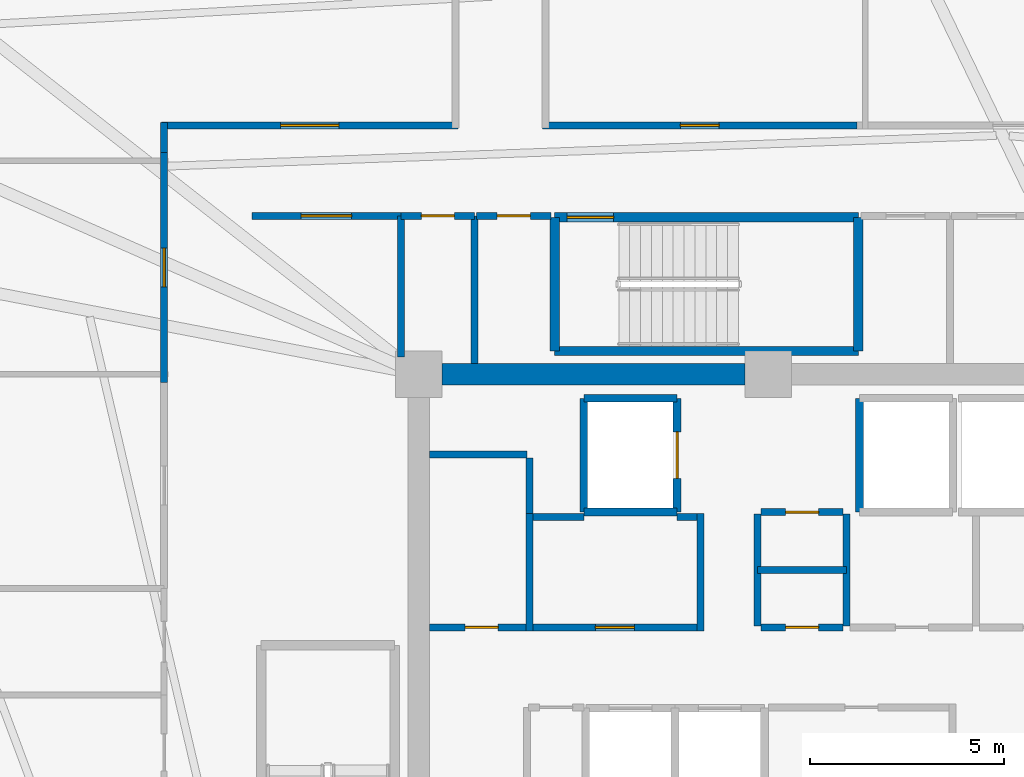
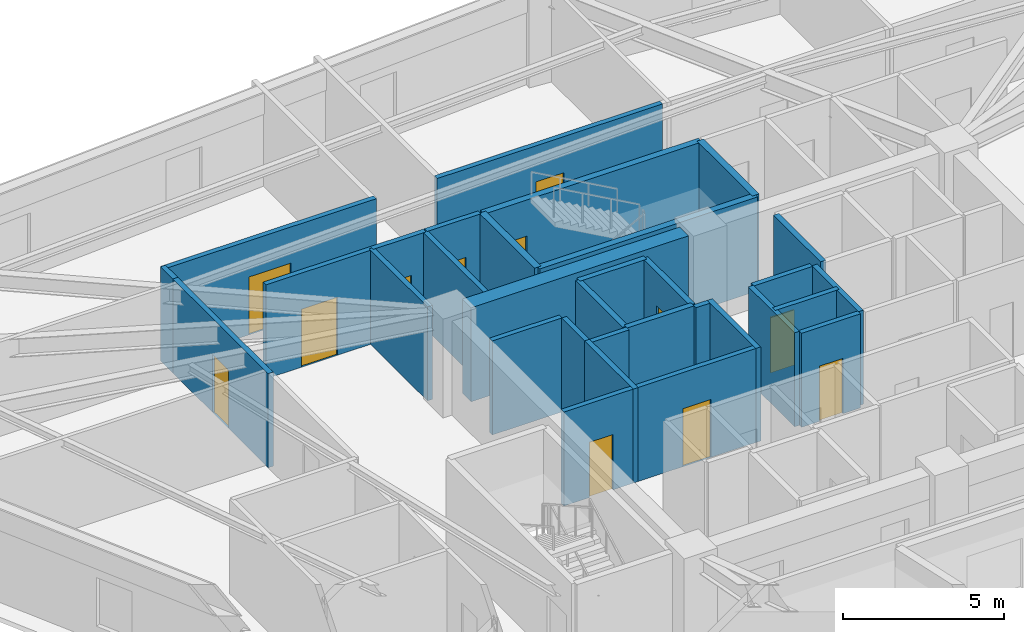
# One storey, part 5 of 9: 32 walls, 12 doors, 12 openings.
"""IFC4 building model written with IfcOpenShell, lengths in metres."""

import ifcopenshell
import ifcopenshell.guid

model = None  # the IFC model being written
_history = None  # IfcOwnerHistory: only IFC2X3 demands one
_inside = {}  # id of a spatial element -> (the spatial element, [elements in it])
_under = {}  # id of a project, library or spatial element -> (it, [spatial elements below it])
_declared = {}  # id of a project -> (the project, [libraries it declares])
_typed = {}  # id of a type object -> (the type object, [elements of that type])
_made_of = {}  # id of a material, layer set ... -> (it, [elements and type objects made of it])


def new_model(schema):
    """Start an empty IFC model of exactly this schema.

    Asked for "IFC4X3", IfcOpenShell would pick the latest addendum, in which some entities
    have other attributes; the version numbers below select the first issue.
    IFC2X3 requires an IfcOwnerHistory on every rooted entity: one is made here for all.
    """
    global model, _history
    if schema == "IFC4X3":
        model = ifcopenshell.file(schema_version=(4, 3, 0, 0))
    else:
        model = ifcopenshell.file(schema=schema)
    _inside.clear()
    _under.clear()
    _declared.clear()
    _typed.clear()
    _made_of.clear()
    _history = None
    if model.schema == "IFC2X3":
        org = make("IfcOrganization", Name="unknown")
        user = make(
            "IfcPersonAndOrganization",
            ThePerson=make("IfcPerson", FamilyName="unknown"),
            TheOrganization=org,
        )
        app = make(
            "IfcApplication",
            ApplicationDeveloper=org,
            Version="unknown",
            ApplicationFullName="unknown",
            ApplicationIdentifier="unknown",
        )
        _history = make(
            "IfcOwnerHistory",
            OwningUser=user,
            OwningApplication=app,
            ChangeAction="ADDED",
            CreationDate=0,
        )
    return model


def make(cls, **values):
    """One entity of the class cls with the attributes given. An attribute that is None is left unset."""
    return model.create_entity(
        cls, **{name: value for name, value in values.items() if value is not None}
    )


def rooted(cls, **values):
    """An entity with a GlobalId (a new one), such as an element, a storey or a relation."""
    return make(cls, GlobalId=ifcopenshell.guid.new(), OwnerHistory=_history, **values)


def si_unit(unit_type, name, prefix=None):
    """IfcSIUnit, for example si_unit("LENGTHUNIT", "METRE", prefix="MILLI")."""
    return make("IfcSIUnit", UnitType=unit_type, Prefix=prefix, Name=name)


def assignment(units):
    """IfcUnitAssignment: the units of a project."""
    return None if units is None else make("IfcUnitAssignment", Units=units)


def point(xyz):
    """IfcCartesianPoint."""
    return None if xyz is None else make("IfcCartesianPoint", Coordinates=xyz)


def direction(xyz):
    """IfcDirection."""
    return None if xyz is None else make("IfcDirection", DirectionRatios=xyz)


def frame(location, z_axis=None, x_axis=None):
    """IfcAxis2Placement3D, a coordinate frame: its origin and axes. An axis left out is left unset."""
    return make(
        "IfcAxis2Placement3D",
        Location=point(location),
        Axis=direction(z_axis),
        RefDirection=direction(x_axis),
    )


def frame_2d(location, x_axis=None):
    """IfcAxis2Placement2D, a coordinate frame in the plane: its origin and x axis."""
    return make(
        "IfcAxis2Placement2D", Location=point(location), RefDirection=direction(x_axis)
    )


def origin():
    """The frame at (0, 0, 0) with its axes left unset."""
    return frame((0.0, 0.0, 0.0))


def place(relative_to, where):
    """IfcLocalPlacement: puts the frame where relative to a parent placement (None: the world)."""
    return make(
        "IfcLocalPlacement", PlacementRelTo=relative_to, RelativePlacement=where
    )


def context(
    kind, dimensions, precision=None, world=None, true_north=None, identifier=None
):
    """IfcGeometricRepresentationContext, for example the 3D "Model" context."""
    return make(
        "IfcGeometricRepresentationContext",
        ContextIdentifier=identifier,
        ContextType=kind,
        CoordinateSpaceDimension=dimensions,
        Precision=precision,
        WorldCoordinateSystem=world,
        TrueNorth=true_north,
    )


def subcontext(parent, identifier, kind, view, scale=None):
    """IfcGeometricRepresentationSubContext, for example "Body" below "Model"."""
    return make(
        "IfcGeometricRepresentationSubContext",
        ContextIdentifier=identifier,
        ContextType=kind,
        ParentContext=parent,
        TargetScale=scale,
        TargetView=view,
    )


def project(units=None, contexts=None):
    """IfcProject with its units and contexts."""
    return rooted(
        "IfcProject",
        Name="project",
        RepresentationContexts=contexts,
        UnitsInContext=assignment(units),
    )


def spatial(cls, under=None, at=None, **own):
    """A site, building, storey or space (cls), placed at a placement, below another one or the project."""
    s = rooted(cls, ObjectPlacement=at, **own)
    if under is not None:
        _under.setdefault(under.id(), (under, []))[1].append(s)
    return s


def profile(cls, at=None, kind="AREA", **sizes):
    """A parametric profile (cls). Its sizes go by their IFC names, for example OverallWidth=200.0."""
    return make(cls, ProfileType=kind, Position=at, **sizes)


def rectangle(**sizes):
    """IfcRectangleProfileDef."""
    return profile("IfcRectangleProfileDef", **sizes)


def extrude(swept, where, along, depth):
    """IfcExtrudedAreaSolid: the profile swept, set in the frame where, extruded along a direction by depth."""
    return make(
        "IfcExtrudedAreaSolid",
        SweptArea=swept,
        Position=where,
        ExtrudedDirection=direction(along),
        Depth=depth,
    )


def shape(context_of_items, identifier, shape_type, items):
    """IfcShapeRepresentation: the items that make up one representation, for example the "Body"."""
    return make(
        "IfcShapeRepresentation",
        ContextOfItems=context_of_items,
        RepresentationIdentifier=identifier,
        RepresentationType=shape_type,
        Items=items,
    )


def source(mapping_origin, context_of_items, identifier, shape_type, items):
    """IfcRepresentationMap: a shape defined once, which mapped items show again and again."""
    return make(
        "IfcRepresentationMap",
        MappingOrigin=mapping_origin,
        MappedRepresentation=shape(context_of_items, identifier, shape_type, items),
    )


def transform(
    local_origin,
    x_axis=None,
    y_axis=None,
    z_axis=None,
    scale=None,
    scale2=None,
    scale3=None,
    uniform=True,
):
    """IfcCartesianTransformationOperator3D, or its non-uniform kind. x_axis, y_axis, z_axis: its Axis1, 2, 3."""
    if uniform:
        return make(
            "IfcCartesianTransformationOperator3D",
            Axis1=direction(x_axis),
            Axis2=direction(y_axis),
            LocalOrigin=point(local_origin),
            Scale=scale,
            Axis3=direction(z_axis),
        )
    return make(
        "IfcCartesianTransformationOperator3DnonUniform",
        Axis1=direction(x_axis),
        Axis2=direction(y_axis),
        LocalOrigin=point(local_origin),
        Scale=scale,
        Axis3=direction(z_axis),
        Scale2=scale2,
        Scale3=scale3,
    )


def mapped(mapping_source, mapping_target):
    """IfcMappedItem: shows the shape of a source again, moved by a transform."""
    return make(
        "IfcMappedItem", MappingSource=mapping_source, MappingTarget=mapping_target
    )


def material(Name=None, Category=None):
    """IfcMaterial."""
    return make("IfcMaterial", Name=Name, Category=Category)


def layer(
    of_material, thickness, ventilated=None, Name=None, Category=None, Priority=None
):
    """IfcMaterialLayer: one layer of a wall or slab, of a material (None: an air gap)."""
    return make(
        "IfcMaterialLayer",
        Material=of_material,
        LayerThickness=thickness,
        IsVentilated=ventilated,
        Name=Name,
        Category=Category,
        Priority=Priority,
    )


def layer_set(layers, Name=None):
    """IfcMaterialLayerSet."""
    return make("IfcMaterialLayerSet", MaterialLayers=layers, LayerSetName=Name)


def made_of(thing, what):
    """Note that an element or type object is made of a material, layer set ...; save() writes the relation."""
    if what is not None:
        _made_of.setdefault(what.id(), (what, []))[1].append(thing)
    return thing


def type_object(cls, material=None, **own):
    """A type object (cls), such as IfcWallType, which elements share."""
    return made_of(rooted(cls, **own), material)


def element(
    cls,
    number,
    at=None,
    inside=None,
    cuts=None,
    type_object=None,
    material=None,
    context=None,
    identifier="Body",
    shape_type=None,
    held_by="IfcProductDefinitionShape",
    body=None,
    shapes=None,
    **own,
):
    """One element of the class cls, such as IfcWall. Its Tag is "e" and its number.

    at: its placement. inside: the storey or other place that contains it. cuts: it is an
    opening in that element (IfcRelVoidsElement). A single representation is given by context,
    identifier, shape_type and body (its items); several are given by shapes. held_by: the class
    of the entity that holds the representations. save() writes the other relations.
    """
    e = rooted(cls, Tag="e%d" % number, ObjectPlacement=at, **own)
    if body is not None:
        shapes = [shape(context, identifier, shape_type, body)]
    if shapes is not None:
        e.Representation = make(held_by, Representations=shapes)
    if inside is not None:
        _inside.setdefault(inside.id(), (inside, []))[1].append(e)
    if cuts is not None:
        rooted(
            "IfcRelVoidsElement", RelatingBuildingElement=cuts, RelatedOpeningElement=e
        )
    if type_object is not None:
        _typed.setdefault(type_object.id(), (type_object, []))[1].append(e)
    return made_of(e, material)


def fill(opening, filler):
    """IfcRelFillsElement: the door or window that sits in an opening."""
    return rooted(
        "IfcRelFillsElement",
        RelatingOpeningElement=opening,
        RelatedBuildingElement=filler,
    )


def aggregate(whole, parts):
    """IfcRelAggregates: a whole, such as a stair, and the parts it consists of."""
    return rooted("IfcRelAggregates", RelatingObject=whole, RelatedObjects=parts)


def save(model, path):
    """Write the relations noted so far, then the file.

    IfcRelAggregates (storeys below a building ...), IfcRelContainedInSpatialStructure (elements
    in a storey), IfcRelDefinesByType, IfcRelAssociatesMaterial and IfcRelDeclares: one each for
    every whole, place, type object, material and project.
    """
    for whole, parts in _under.values():
        aggregate(whole, parts)
    for where, things in _inside.values():
        rooted(
            "IfcRelContainedInSpatialStructure",
            RelatedElements=things,
            RelatingStructure=where,
        )
    for kind, things in _typed.values():
        rooted("IfcRelDefinesByType", RelatedObjects=things, RelatingType=kind)
    for what, things in _made_of.values():
        rooted("IfcRelAssociatesMaterial", RelatedObjects=things, RelatingMaterial=what)
    for by, libraries in _declared.values():
        rooted("IfcRelDeclares", RelatingContext=by, RelatedDefinitions=libraries)
    model.write(path)


model = new_model("IFC4")

# Units and contexts
model_context = context("Model", 3, precision=1e-05, world=origin(), true_north=direction((0.0, 1.0)))
body_context = subcontext(model_context, "Body", "Model", "MODEL_VIEW")
ifc_project = project(units=[si_unit("LENGTHUNIT", "METRE"), si_unit("AREAUNIT", "SQUARE_METRE"), si_unit("VOLUMEUNIT", "CUBIC_METRE"), si_unit("PLANEANGLEUNIT", "RADIAN"), si_unit("MASSUNIT", "GRAM", prefix="KILO")], contexts=[model_context])

# Site, building, storey
site_placement = place(None, origin())
site = spatial("IfcSite", under=ifc_project, at=site_placement, CompositionType="ELEMENT")
building_placement = place(site_placement, origin())
building = spatial("IfcBuilding", under=site, at=building_placement, Name="Liaohun Quay Tower", CompositionType="ELEMENT")
storey_placement = place(building_placement, frame((0.0, 0.0, 328.5)))
storey = spatial("IfcBuildingStorey", under=building, at=storey_placement, Name="L85", CompositionType="ELEMENT", Elevation=328.5)

# Wall
ifc_material_1 = material(Name="Concrete C50", Category="concrete")
ifc_layer_1 = layer(ifc_material_1, 0.550048828125, Name="Concrete C50", Category="concrete")
ifc_layer_set_1 = layer_set([ifc_layer_1], Name="Concrete C50")
wall_type_1 = type_object("IfcWallType", Name="WAL-COR-Z4", PredefinedType="SHEAR", material=ifc_layer_set_1)
wall_1_placement = place(storey_placement, frame((51.60009765625, 61.5, 0.0), z_axis=(0.0, 0.0, 1.0), x_axis=(1.0, 0.0, 0.0)))
element("IfcWall", 1, at=wall_1_placement, inside=storey, type_object=wall_type_1, Name="L85 Central Core Shear Wall N-W", PredefinedType="SHEAR", context=body_context, shape_type="SweptSolid", body=[
    extrude(rectangle(XDim=7.7998046875, YDim=0.550048828125, at=frame_2d((3.89990234375, 0.0))), origin(), (0.0, 0.0, 1.0), 3.570068359375),
])

# Wall, opening, door
ifc_material_2 = material(Name="Autoclaved aerated concrete blockwork", Category="masonry")
ifc_layer_2 = layer(ifc_material_2, 0.179931640625, Name="Autoclaved aerated concrete blockwork", Category="masonry")
ifc_layer_set_2 = layer_set([ifc_layer_2], Name="Autoclaved aerated concrete blockwork")
wall_type_2 = type_object("IfcWallType", Name="WAL-PRT-COR", PredefinedType="PARTITIONING", material=ifc_layer_set_2)
wall_2_placement = place(storey_placement, frame((53.93994140625, 54.97998046875, 0.0), z_axis=(0.0, 0.0, 1.0), x_axis=(1.0, 0.0, 0.0)))
wall_2 = element("IfcWall", 2, at=wall_2_placement, inside=storey, type_object=wall_type_2, Name="L85 Interior Partition Wall 002", PredefinedType="PARTITIONING", context=body_context, shape_type="SweptSolid", body=[
    extrude(rectangle(XDim=4.219970703125, YDim=0.179931640625, at=frame_2d((2.10986328125, 0.0))), origin(), (0.0, 0.0, 1.0), 3.570068359375),
])
shared_shape_1 = source(origin(), body_context, "Body", "SweptSolid", [
    extrude(rectangle(XDim=1.0, YDim=2.199951171875, at=frame_2d((0.5, 1.10009765625))), frame((0.0, 0.099853515625, 0.0), z_axis=(0.0, -1.0, 0.0), x_axis=(1.0, 0.0, 0.0)), (0.0, 0.0, 1.0), 0.199951171875),
])
opening_1_placement = place(wall_2_placement, frame((1.610107421875, 0.0, 0.0)))
opening_1 = element("IfcOpeningElement", 3, at=opening_1_placement, cuts=wall_2, Name="Opening OD1", PredefinedType="OPENING", context=body_context, shape_type="MappedRepresentation", body=[
    mapped(shared_shape_1, transform((0.0, 0.0, 0.0), x_axis=(1.0, 0.0, 0.0), y_axis=(0.0, 1.0, 0.0), z_axis=(0.0, 0.0, 1.0), scale=1.0)),
])
ifc_material_3 = material(Name="Solid-core oak veneer timber leaf in steel frame", Category="steel")
door_type_1 = type_object("IfcDoorType", Name="DOR-OFF-1000", OperationType="NOTDEFINED", PredefinedType="DOOR", material=ifc_material_3)
shared_shape_2 = source(origin(), body_context, "Body", "SweptSolid", [
    extrude(rectangle(XDim=1.0, YDim=2.199951171875, at=frame_2d((0.5, 1.10009765625))), frame((0.0, 0.02490234375, 0.0), z_axis=(0.0, -1.0, 0.0), x_axis=(1.0, 0.0, 0.0)), (0.0, 0.0, 1.0), 0.050048828125),
])
door_1_placement = place(opening_1_placement, origin())
door_1 = element("IfcDoor", 4, at=door_1_placement, inside=storey, type_object=door_type_1, Name="L85 Core Staff Pantry and Tea Room Door", OperationType="SINGLE_SWING_RIGHT", OverallHeight=2.199951171875, OverallWidth=1.0, PredefinedType="DOOR", context=body_context, shape_type="MappedRepresentation", body=[
    mapped(shared_shape_2, transform((0.0, 0.0, 0.0), x_axis=(1.0, 0.0, 0.0), y_axis=(0.0, 1.0, 0.0), z_axis=(0.0, 0.0, 1.0), scale=1.0)),
])
fill(opening_1, door_1)

wall_3_placement = place(storey_placement, frame((51.27490234375, 54.97998046875, 0.0), z_axis=(0.0, 0.0, 1.0), x_axis=(1.0, 0.0, 0.0)))
wall_3 = element("IfcWall", 5, at=wall_3_placement, inside=storey, type_object=wall_type_2, Name="L85 Interior Partition Wall 003", PredefinedType="PARTITIONING", context=body_context, shape_type="SweptSolid", body=[
    extrude(rectangle(XDim=2.485107421875, YDim=0.179931640625, at=frame_2d((1.24267578125, 0.0))), origin(), (0.0, 0.0, 1.0), 3.570068359375),
])
shared_shape_3 = source(origin(), body_context, "Body", "SweptSolid", [
    extrude(rectangle(XDim=0.85009765625, YDim=2.10009765625, at=frame_2d((0.425048828125, 1.050048828125))), frame((0.0, 0.099853515625, 0.0), z_axis=(0.0, -1.0, 0.0), x_axis=(1.0, 0.0, 0.0)), (0.0, 0.0, 1.0), 0.199951171875),
])
opening_2_placement = place(wall_3_placement, frame((0.9150390625, 0.0, 0.0)))
opening_2 = element("IfcOpeningElement", 6, at=opening_2_placement, cuts=wall_3, Name="Opening AD1", PredefinedType="OPENING", context=body_context, shape_type="MappedRepresentation", body=[
    mapped(shared_shape_3, transform((0.0, 0.0, 0.0), x_axis=(1.0, 0.0, 0.0), y_axis=(0.0, 1.0, 0.0), z_axis=(0.0, 0.0, 1.0), scale=1.0)),
])
ifc_material_4 = material(Name="Steel riser inspection fire door", Category="steel")
door_type_2 = type_object("IfcDoorType", Name="DOR-SHF-850", OperationType="NOTDEFINED", PredefinedType="DOOR", material=ifc_material_4)
shared_shape_4 = source(origin(), body_context, "Body", "SweptSolid", [
    extrude(rectangle(XDim=0.85009765625, YDim=2.10009765625, at=frame_2d((0.425048828125, 1.050048828125))), frame((0.0, 0.02490234375, 0.0), z_axis=(0.0, -1.0, 0.0), x_axis=(1.0, 0.0, 0.0)), (0.0, 0.0, 1.0), 0.050048828125),
])
door_2_placement = place(opening_2_placement, origin())
door_2 = element("IfcDoor", 7, at=door_2_placement, inside=storey, type_object=door_type_2, Name="L85 Core High-Zone Archive and Riser Store Door", OperationType="SINGLE_SWING_LEFT", OverallHeight=2.10009765625, OverallWidth=0.85009765625, PredefinedType="DOOR", context=body_context, shape_type="MappedRepresentation", body=[
    mapped(shared_shape_4, transform((0.0, 0.0, 0.0), x_axis=(1.0, 0.0, 0.0), y_axis=(0.0, 1.0, 0.0), z_axis=(0.0, 0.0, 1.0), scale=1.0)),
])
fill(opening_2, door_2)

wall_4_placement = place(storey_placement, frame((59.81005859375, 54.97998046875, 0.0), z_axis=(0.0, 0.0, 1.0), x_axis=(1.0, 0.0, 0.0)))
wall_4 = element("IfcWall", 8, at=wall_4_placement, inside=storey, type_object=wall_type_2, Name="L85 Interior Partition Wall 006", PredefinedType="PARTITIONING", context=body_context, shape_type="SweptSolid", body=[
    extrude(rectangle(XDim=2.10986328125, YDim=0.179931640625, at=frame_2d((1.054931640625, 0.0))), origin(), (0.0, 0.0, 1.0), 3.570068359375),
])
opening_3_placement = place(wall_4_placement, frame((0.635009765625, 0.0, 0.0)))
opening_3 = element("IfcOpeningElement", 9, at=opening_3_placement, cuts=wall_4, Name="Opening AD1", PredefinedType="OPENING", context=body_context, shape_type="MappedRepresentation", body=[
    mapped(shared_shape_3, transform((0.0, 0.0, 0.0), x_axis=(1.0, 0.0, 0.0), y_axis=(0.0, 1.0, 0.0), z_axis=(0.0, 0.0, 1.0), scale=1.0)),
])
door_3_placement = place(opening_3_placement, origin())
door_3 = element("IfcDoor", 10, at=door_3_placement, inside=storey, type_object=door_type_2, Name="L85 Electrical Riser Room Door", OperationType="SINGLE_SWING_RIGHT", OverallHeight=2.10009765625, OverallWidth=0.85009765625, PredefinedType="DOOR", context=body_context, shape_type="MappedRepresentation", body=[
    mapped(shared_shape_4, transform((0.0, 0.0, 0.0), x_axis=(1.0, 0.0, 0.0), y_axis=(0.0, 1.0, 0.0), z_axis=(0.0, 0.0, 1.0), scale=1.0)),
])
fill(opening_3, door_3)

wall_5_placement = place(storey_placement, frame((59.81005859375, 57.949951171875, 0.0), z_axis=(0.0, 0.0, 1.0), x_axis=(1.0, 0.0, 0.0)))
wall_5 = element("IfcWall", 11, at=wall_5_placement, inside=storey, type_object=wall_type_2, Name="L85 Interior Partition Wall 007", PredefinedType="PARTITIONING", context=body_context, shape_type="SweptSolid", body=[
    extrude(rectangle(XDim=2.10986328125, YDim=0.179931640625, at=frame_2d((1.054931640625, 0.0))), origin(), (0.0, 0.0, 1.0), 3.570068359375),
])
opening_4_placement = place(wall_5_placement, frame((0.635009765625, 0.0, 0.0)))
opening_4 = element("IfcOpeningElement", 12, at=opening_4_placement, cuts=wall_5, Name="Opening AD1", PredefinedType="OPENING", context=body_context, shape_type="MappedRepresentation", body=[
    mapped(shared_shape_3, transform((0.0, 0.0, 0.0), x_axis=(1.0, 0.0, 0.0), y_axis=(0.0, 1.0, 0.0), z_axis=(0.0, 0.0, 1.0), scale=1.0)),
])
door_4_placement = place(opening_4_placement, origin())
door_4 = element("IfcDoor", 13, at=door_4_placement, inside=storey, type_object=door_type_2, Name="L85 Telecom Comms Closet Door", OperationType="SINGLE_SWING_LEFT", OverallHeight=2.10009765625, OverallWidth=0.85009765625, PredefinedType="DOOR", context=body_context, shape_type="MappedRepresentation", body=[
    mapped(shared_shape_4, transform((0.0, 0.0, 0.0), x_axis=(1.0, 0.0, 0.0), y_axis=(0.0, 1.0, 0.0), z_axis=(0.0, 0.0, 1.0), scale=1.0)),
])
fill(opening_4, door_4)

wall_6_placement = place(storey_placement, frame((50.5400390625, 65.580078125, 0.0), z_axis=(0.0, 0.0, 1.0), x_axis=(1.0, 0.0, 0.0)))
wall_6 = element("IfcWall", 14, at=wall_6_placement, inside=storey, type_object=wall_type_2, Name="L85 Interior Partition Wall 012", PredefinedType="PARTITIONING", context=body_context, shape_type="SweptSolid", body=[
    extrude(rectangle(XDim=1.89990234375, YDim=0.179931640625, at=frame_2d((0.949951171875, 0.0))), origin(), (0.0, 0.0, 1.0), 3.570068359375),
])
opening_5_placement = place(wall_6_placement, frame((0.52490234375, 0.0, 0.0)))
opening_5 = element("IfcOpeningElement", 15, at=opening_5_placement, cuts=wall_6, Name="Opening AD1", PredefinedType="OPENING", context=body_context, shape_type="MappedRepresentation", body=[
    mapped(shared_shape_3, transform((0.0, 0.0, 0.0), x_axis=(1.0, 0.0, 0.0), y_axis=(0.0, 1.0, 0.0), z_axis=(0.0, 0.0, 1.0), scale=1.0)),
])
door_5_placement = place(opening_5_placement, origin())
door_5 = element("IfcDoor", 16, at=door_5_placement, inside=storey, type_object=door_type_2, Name="L85 North-West Riser Closet Door", OperationType="SINGLE_SWING_RIGHT", OverallHeight=2.10009765625, OverallWidth=0.85009765625, PredefinedType="DOOR", context=body_context, shape_type="MappedRepresentation", body=[
    mapped(shared_shape_4, transform((0.0, 0.0, 0.0), x_axis=(1.0, 0.0, 0.0), y_axis=(0.0, 1.0, 0.0), z_axis=(0.0, 0.0, 1.0), scale=1.0)),
])
fill(opening_5, door_5)

wall_7_placement = place(storey_placement, frame((52.47998046875, 65.580078125, 0.0), z_axis=(0.0, 0.0, 1.0), x_axis=(1.0, 0.0, 0.0)))
wall_7 = element("IfcWall", 17, at=wall_7_placement, inside=storey, type_object=wall_type_2, Name="L85 Interior Partition Wall 013", PredefinedType="PARTITIONING", context=body_context, shape_type="SweptSolid", body=[
    extrude(rectangle(XDim=1.929931640625, YDim=0.179931640625, at=frame_2d((0.96484375, 0.0))), origin(), (0.0, 0.0, 1.0), 3.570068359375),
])
opening_6_placement = place(wall_7_placement, frame((0.5400390625, 0.0, 0.0)))
opening_6 = element("IfcOpeningElement", 18, at=opening_6_placement, cuts=wall_7, Name="Opening AD1", PredefinedType="OPENING", context=body_context, shape_type="MappedRepresentation", body=[
    mapped(shared_shape_3, transform((0.0, 0.0, 0.0), x_axis=(1.0, 0.0, 0.0), y_axis=(0.0, 1.0, 0.0), z_axis=(0.0, 0.0, 1.0), scale=1.0)),
])
door_6_placement = place(opening_6_placement, origin())
door_6 = element("IfcDoor", 19, at=door_6_placement, inside=storey, type_object=door_type_2, Name="L85 North-West Print Closet Door", OperationType="SINGLE_SWING_LEFT", OverallHeight=2.10009765625, OverallWidth=0.85009765625, PredefinedType="DOOR", context=body_context, shape_type="MappedRepresentation", body=[
    mapped(shared_shape_4, transform((0.0, 0.0, 0.0), x_axis=(1.0, 0.0, 0.0), y_axis=(0.0, 1.0, 0.0), z_axis=(0.0, 0.0, 1.0), scale=1.0)),
])
fill(opening_6, door_6)

wall_8_placement = place(storey_placement, frame((46.699951171875, 65.580078125, 0.0), z_axis=(0.0, 0.0, 1.0), x_axis=(1.0, 0.0, 0.0)))
wall_8 = element("IfcWall", 20, at=wall_8_placement, inside=storey, type_object=wall_type_2, Name="L85 Interior Partition Wall 017", PredefinedType="PARTITIONING", context=body_context, shape_type="SweptSolid", body=[
    extrude(rectangle(XDim=3.840087890625, YDim=0.179931640625, at=frame_2d((1.919921875, 0.0))), origin(), (0.0, 0.0, 1.0), 3.570068359375),
])
shared_shape_5 = source(origin(), body_context, "Body", "SweptSolid", [
    extrude(rectangle(XDim=1.300048828125, YDim=2.199951171875, at=frame_2d((0.64990234375, 1.10009765625))), frame((0.0, 0.099853515625, 0.0), z_axis=(0.0, -1.0, 0.0), x_axis=(1.0, 0.0, 0.0)), (0.0, 0.0, 1.0), 0.199951171875),
])
opening_7_placement = place(wall_8_placement, frame((1.27001953125, 0.0, 0.0)))
opening_7 = element("IfcOpeningElement", 21, at=opening_7_placement, cuts=wall_8, Name="Opening FD1", PredefinedType="OPENING", context=body_context, shape_type="MappedRepresentation", body=[
    mapped(shared_shape_5, transform((0.0, 0.0, 0.0), x_axis=(1.0, 0.0, 0.0), y_axis=(0.0, 1.0, 0.0), z_axis=(0.0, 0.0, 1.0), scale=1.0)),
])
ifc_material_5 = material(Name="Galvanised steel smokeproof fire door", Category="steel")
door_type_3 = type_object("IfcDoorType", Name="DOR-FFL-1300", OperationType="NOTDEFINED", PredefinedType="DOOR", material=ifc_material_5)
shared_shape_6 = source(origin(), body_context, "Body", "SweptSolid", [
    extrude(rectangle(XDim=1.300048828125, YDim=2.199951171875, at=frame_2d((0.64990234375, 1.10009765625))), frame((0.0, 0.02490234375, 0.0), z_axis=(0.0, -1.0, 0.0), x_axis=(1.0, 0.0, 0.0)), (0.0, 0.0, 1.0), 0.050048828125),
])
door_7_placement = place(opening_7_placement, origin())
door_7 = element("IfcDoor", 22, at=door_7_placement, inside=storey, type_object=door_type_3, Name="L85 West Core Vestibule Door", OperationType="SINGLE_SWING_LEFT", OverallHeight=2.199951171875, OverallWidth=1.300048828125, PredefinedType="DOOR", context=body_context, shape_type="MappedRepresentation", body=[
    mapped(shared_shape_6, transform((0.0, 0.0, 0.0), x_axis=(1.0, 0.0, 0.0), y_axis=(0.0, 1.0, 0.0), z_axis=(0.0, 0.0, 1.0), scale=1.0)),
])
fill(opening_7, door_7)

wall_9_placement = place(storey_placement, frame((54.18994140625, 67.909912109375, 0.0), z_axis=(0.0, 0.0, 1.0), x_axis=(1.0, 0.0, 0.0)))
wall_9 = element("IfcWall", 23, at=wall_9_placement, inside=storey, type_object=wall_type_2, Name="L85 Interior Partition Wall 022", PredefinedType="PARTITIONING", context=body_context, shape_type="SweptSolid", body=[
    extrude(rectangle(XDim=8.094970703125, YDim=0.179931640625, at=frame_2d((4.04736328125, 0.0))), origin(), (0.0, 0.0, 1.0), 3.570068359375),
])
opening_8_placement = place(wall_9_placement, frame((3.547119140625, 0.0, 0.0)))
opening_8 = element("IfcOpeningElement", 24, at=opening_8_placement, cuts=wall_9, Name="Opening OD1", PredefinedType="OPENING", context=body_context, shape_type="MappedRepresentation", body=[
    mapped(shared_shape_1, transform((0.0, 0.0, 0.0), x_axis=(1.0, 0.0, 0.0), y_axis=(0.0, 1.0, 0.0), z_axis=(0.0, 0.0, 1.0), scale=1.0)),
])
door_8_placement = place(opening_8_placement, origin())
door_8 = element("IfcDoor", 25, at=door_8_placement, inside=storey, type_object=door_type_1, Name="L85 Project Collaboration Studio 04 Door", OperationType="SINGLE_SWING_RIGHT", OverallHeight=2.199951171875, OverallWidth=1.0, PredefinedType="DOOR", context=body_context, shape_type="MappedRepresentation", body=[
    mapped(shared_shape_2, transform((0.0, 0.0, 0.0), x_axis=(1.0, 0.0, 0.0), y_axis=(0.0, 1.0, 0.0), z_axis=(0.0, 0.0, 1.0), scale=1.0)),
])
fill(opening_8, door_8)

wall_10_placement = place(storey_placement, frame((44.3701171875, 67.909912109375, 0.0), z_axis=(0.0, 0.0, 1.0), x_axis=(1.0, 0.0, 0.0)))
wall_10 = element("IfcWall", 26, at=wall_10_placement, inside=storey, type_object=wall_type_2, Name="L85 Interior Partition Wall 023", PredefinedType="PARTITIONING", context=body_context, shape_type="SweptSolid", body=[
    extrude(rectangle(XDim=7.639892578125, YDim=0.179931640625, at=frame_2d((3.81982421875, 0.0))), origin(), (0.0, 0.0, 1.0), 3.570068359375),
])
shared_shape_7 = source(origin(), body_context, "Body", "SweptSolid", [
    extrude(rectangle(XDim=1.5, YDim=2.199951171875, at=frame_2d((0.75, 1.10009765625))), frame((0.0, 0.099853515625, 0.0), z_axis=(0.0, -1.0, 0.0), x_axis=(1.0, 0.0, 0.0)), (0.0, 0.0, 1.0), 0.199951171875),
])
opening_9_placement = place(wall_10_placement, frame((3.070068359375, 0.0, 0.0)))
opening_9 = element("IfcOpeningElement", 27, at=opening_9_placement, cuts=wall_10, Name="Opening OD2", PredefinedType="OPENING", context=body_context, shape_type="MappedRepresentation", body=[
    mapped(shared_shape_7, transform((0.0, 0.0, 0.0), x_axis=(1.0, 0.0, 0.0), y_axis=(0.0, 1.0, 0.0), z_axis=(0.0, 0.0, 1.0), scale=1.0)),
])
ifc_material_6 = material(Name="Acoustic oak veneer double door")
door_type_4 = type_object("IfcDoorType", Name="DOR-OFF-1500", OperationType="DOUBLE_DOOR_SINGLE_SWING", PredefinedType="DOOR", material=ifc_material_6)
shared_shape_8 = source(origin(), body_context, "Body", "SweptSolid", [
    extrude(rectangle(XDim=1.5, YDim=2.199951171875, at=frame_2d((0.75, 1.10009765625))), frame((0.0, 0.02490234375, 0.0), z_axis=(0.0, -1.0, 0.0), x_axis=(1.0, 0.0, 0.0)), (0.0, 0.0, 1.0), 0.050048828125),
])
door_9_placement = place(opening_9_placement, origin())
door_9 = element("IfcDoor", 28, at=door_9_placement, inside=storey, type_object=door_type_4, Name="L85 Corporate Exhibition Gallery 05 Door", OperationType="DOUBLE_DOOR_SINGLE_SWING", OverallHeight=2.199951171875, OverallWidth=1.5, PredefinedType="DOOR", context=body_context, shape_type="MappedRepresentation", body=[
    mapped(shared_shape_8, transform((0.0, 0.0, 0.0), x_axis=(1.0, 0.0, 0.0), y_axis=(0.0, 1.0, 0.0), z_axis=(0.0, 0.0, 1.0), scale=1.0)),
])
fill(opening_9, door_9)

wall_11_placement = place(storey_placement, frame((44.43994140625, 61.284912109375, 0.0), z_axis=(0.0, 0.0, 1.0), x_axis=(0.0, 1.0, 0.0)))
wall_11 = element("IfcWall", 29, at=wall_11_placement, inside=storey, type_object=wall_type_2, Name="L85 Interior Partition Wall 024", PredefinedType="PARTITIONING", context=body_context, shape_type="SweptSolid", body=[
    extrude(rectangle(XDim=5.93017578125, YDim=0.179931640625, at=frame_2d((2.965087890625, 0.0))), origin(), (0.0, 0.0, 1.0), 3.570068359375),
])
opening_10_placement = place(wall_11_placement, frame((2.465087890625, 0.0, 0.0)))
opening_10 = element("IfcOpeningElement", 30, at=opening_10_placement, cuts=wall_11, Name="Opening OD1", PredefinedType="OPENING", context=body_context, shape_type="MappedRepresentation", body=[
    mapped(shared_shape_1, transform((0.0, 0.0, 0.0), x_axis=(1.0, 0.0, 0.0), y_axis=(0.0, 1.0, 0.0), z_axis=(0.0, 0.0, 1.0), scale=1.0)),
])
door_10_placement = place(opening_10_placement, origin())
door_10 = element("IfcDoor", 31, at=door_10_placement, inside=storey, type_object=door_type_1, Name="L85 Staff Tea Kitchen and Pantry 06 Door", OperationType="SINGLE_SWING_RIGHT", OverallHeight=2.199951171875, OverallWidth=1.0, PredefinedType="DOOR", context=body_context, shape_type="MappedRepresentation", body=[
    mapped(shared_shape_2, transform((0.0, 0.0, 0.0), x_axis=(1.0, 0.0, 0.0), y_axis=(0.0, 1.0, 0.0), z_axis=(0.0, 0.0, 1.0), scale=1.0)),
])
fill(opening_10, door_10)

# Walls
wall_12_placement = place(storey_placement, frame((51.27490234375, 59.429931640625, 0.0), z_axis=(0.0, 0.0, 1.0), x_axis=(1.0, 0.0, 0.0)))
element("IfcWall", 32, at=wall_12_placement, inside=storey, type_object=wall_type_2, Name="L85 Interior Partition Wall 028", PredefinedType="PARTITIONING", context=body_context, shape_type="SweptSolid", body=[
    extrude(rectangle(XDim=2.505126953125, YDim=0.179931640625, at=frame_2d((1.25244140625, 0.0))), origin(), (0.0, 0.0, 1.0), 3.570068359375),
])
for number, where, z_axis, x_axis, name in (
    (33, (59.719970703125, 55.02001953125, 0.0), (0.0, 0.0, 1.0), (0.0, 1.0, 0.0), "L85 Interior Partition Wall 030"),
    (34, (62.010009765625, 55.02001953125, 0.0), (0.0, 0.0, 1.0), (0.0, 1.0, 0.0), "L85 Interior Partition Wall 031"),
):
    element("IfcWall", number, at=place(storey_placement, frame(where, z_axis=z_axis, x_axis=x_axis)), inside=storey, type_object=wall_type_2, Name=name, PredefinedType="PARTITIONING", context=body_context, shape_type="SweptSolid", body=[
        extrude(rectangle(XDim=2.8798828125, YDim=0.179931640625, at=frame_2d((1.43994140625, 0.0))), origin(), (0.0, 0.0, 1.0), 3.570068359375),
    ])
wall_13_placement = place(storey_placement, frame((59.719970703125, 56.4599609375, 0.0), z_axis=(0.0, 0.0, 1.0), x_axis=(1.0, 0.0, 0.0)))
element("IfcWall", 35, at=wall_13_placement, inside=storey, type_object=wall_type_2, Name="L85 Interior Partition Wall 032", PredefinedType="PARTITIONING", context=body_context, shape_type="SweptSolid", body=[
    extrude(rectangle(XDim=2.2900390625, YDim=0.179931640625, at=frame_2d((1.14501953125, 0.0))), origin(), (0.0, 0.0, 1.0), 3.570068359375),
])
wall_14_placement = place(storey_placement, frame((50.5400390625, 61.949951171875, 0.0), z_axis=(0.0, 0.0, 1.0), x_axis=(0.0, 1.0, 0.0)))
element("IfcWall", 36, at=wall_14_placement, inside=storey, type_object=wall_type_2, Name="L85 Interior Partition Wall 040", PredefinedType="PARTITIONING", context=body_context, shape_type="SweptSolid", body=[
    extrude(rectangle(XDim=3.630126953125, YDim=0.179931640625, at=frame_2d((1.81494140625, 0.0))), origin(), (0.0, 0.0, 1.0), 3.570068359375),
])
wall_15_placement = place(storey_placement, frame((52.43994140625, 61.77490234375, 0.0), z_axis=(0.0, 0.0, 1.0), x_axis=(0.0, 1.0, 0.0)))
element("IfcWall", 37, at=wall_15_placement, inside=storey, type_object=wall_type_2, Name="L85 Interior Partition Wall 041", PredefinedType="PARTITIONING", context=body_context, shape_type="SweptSolid", body=[
    extrude(rectangle(XDim=3.80517578125, YDim=0.179931640625, at=frame_2d((1.902587890625, 0.0))), origin(), (0.0, 0.0, 1.0), 3.570068359375),
])
wall_16_placement = place(storey_placement, frame((44.43994140625, 67.215087890625, 0.0), z_axis=(0.0, 0.0, 1.0), x_axis=(0.0, 1.0, 0.0)))
element("IfcWall", 38, at=wall_16_placement, inside=storey, type_object=wall_type_2, Name="L85 Interior Partition Wall 049", PredefinedType="PARTITIONING", context=body_context, shape_type="SweptSolid", body=[
    extrude(rectangle(XDim=0.764892578125, YDim=0.179931640625, at=frame_2d((0.38232421875, 0.0))), origin(), (0.0, 0.0, 1.0), 3.570068359375),
])
for number, where, z_axis, x_axis, name in (
    (39, (53.85009765625, 54.889892578125, 0.0), (0.0, 0.0, 1.0), (0.0, 1.0, 0.0), "L85 Interior Partition Wall 063"),
    (40, (58.25, 54.889892578125, 0.0), (0.0, 0.0, 1.0), (0.0, 1.0, 0.0), "L85 Interior Partition Wall 064"),
):
    element("IfcWall", number, at=place(storey_placement, frame(where, z_axis=z_axis, x_axis=x_axis)), inside=storey, type_object=wall_type_2, Name=name, PredefinedType="PARTITIONING", context=body_context, shape_type="SweptSolid", body=[
        extrude(rectangle(XDim=3.02001953125, YDim=0.179931640625, at=frame_2d((1.510009765625, 0.0))), origin(), (0.0, 0.0, 1.0), 3.570068359375),
    ])
wall_17_placement = place(storey_placement, frame((53.93994140625, 57.820068359375, 0.0), z_axis=(0.0, 0.0, 1.0), x_axis=(1.0, 0.0, 0.0)))
element("IfcWall", 41, at=wall_17_placement, inside=storey, type_object=wall_type_2, Name="L85 Interior Partition Wall 065", PredefinedType="PARTITIONING", context=body_context, shape_type="SweptSolid", body=[
    extrude(rectangle(XDim=1.31005859375, YDim=0.179931640625, at=frame_2d((0.655029296875, 0.0))), origin(), (0.0, 0.0, 1.0), 3.570068359375),
])
wall_18_placement = place(storey_placement, frame((57.64990234375, 57.820068359375, 0.0), z_axis=(0.0, 0.0, 1.0), x_axis=(1.0, 0.0, 0.0)))
element("IfcWall", 42, at=wall_18_placement, inside=storey, type_object=wall_type_2, Name="L85 Interior Partition Wall 066", PredefinedType="PARTITIONING", context=body_context, shape_type="SweptSolid", body=[
    extrude(rectangle(XDim=0.510009765625, YDim=0.179931640625, at=frame_2d((0.2548828125, 0.0))), origin(), (0.0, 0.0, 1.0), 3.570068359375),
])
wall_19_placement = place(storey_placement, frame((53.85009765625, 57.909912109375, 0.0), z_axis=(0.0, 0.0, 1.0), x_axis=(0.0, 1.0, 0.0)))
element("IfcWall", 43, at=wall_19_placement, inside=storey, type_object=wall_type_2, Name="L85 Interior Partition Wall 067", PredefinedType="PARTITIONING", context=body_context, shape_type="SweptSolid", body=[
    extrude(rectangle(XDim=1.43017578125, YDim=0.179931640625, at=frame_2d((0.715087890625, 0.0))), origin(), (0.0, 0.0, 1.0), 3.570068359375),
])
ifc_layer_3 = layer(ifc_material_1, 0.239990234375, Name="Concrete C50", Category="concrete")
ifc_layer_set_3 = layer_set([ifc_layer_3], Name="Concrete C50")
wall_type_3 = type_object("IfcWallType", Name="WAL-SHF-200", PredefinedType="SOLIDWALL", material=ifc_layer_set_3)
wall_20_placement = place(storey_placement, frame((54.5, 62.10009765625, 0.0), z_axis=(0.0, 0.0, 1.0), x_axis=(1.0, 0.0, 0.0)))
element("IfcWall", 44, at=wall_20_placement, inside=storey, type_object=wall_type_3, Name="L85 Stairwell ST-3 Structural Core Wall S", PredefinedType="SOLIDWALL", context=body_context, shape_type="SweptSolid", body=[
    extrude(rectangle(XDim=7.820068359375, YDim=0.239990234375, at=frame_2d((3.91015625, 0.0))), origin(), (0.0, 0.0, 1.0), 3.570068359375),
])
wall_21_placement = place(storey_placement, frame((62.320068359375, 62.10009765625, 0.0), z_axis=(0.0, 0.0, 1.0), x_axis=(0.0, 1.0, 0.0)))
element("IfcWall", 45, at=wall_21_placement, inside=storey, type_object=wall_type_3, Name="L85 Stairwell ST-3 Structural Core Wall E", PredefinedType="SOLIDWALL", context=body_context, shape_type="SweptSolid", body=[
    extrude(rectangle(XDim=3.43994140625, YDim=0.239990234375, at=frame_2d((1.719970703125, 0.0))), origin(), (0.0, 0.0, 1.0), 3.570068359375),
])

# Wall, opening, door
wall_22_placement = place(storey_placement, frame((62.320068359375, 65.5400390625, 0.0), z_axis=(0.0, 0.0, 1.0), x_axis=(-1.0, 0.0, 0.0)))
wall_22 = element("IfcWall", 46, at=wall_22_placement, inside=storey, type_object=wall_type_3, Name="L85 Stairwell ST-3 Structural Core Wall N", PredefinedType="SOLIDWALL", context=body_context, shape_type="SweptSolid", body=[
    extrude(rectangle(XDim=7.820068359375, YDim=0.239990234375, at=frame_2d((3.91015625, 0.0))), origin(), (0.0, 0.0, 1.0), 3.570068359375),
])
shared_shape_9 = source(origin(), body_context, "Body", "SweptSolid", [
    extrude(rectangle(XDim=1.199951171875, YDim=2.199951171875, at=frame_2d((0.60009765625, 1.10009765625))), frame((0.0, 0.1298828125, 0.0), z_axis=(0.0, -1.0, 0.0), x_axis=(1.0, 0.0, 0.0)), (0.0, 0.0, 1.0), 0.260009765625),
])
opening_11_placement = place(wall_22_placement, frame((6.300048828125, 0.0, 0.0)))
opening_11 = element("IfcOpeningElement", 47, at=opening_11_placement, cuts=wall_22, Name="Opening SD1", PredefinedType="OPENING", context=body_context, shape_type="MappedRepresentation", body=[
    mapped(shared_shape_9, transform((0.0, 0.0, 0.0), x_axis=(1.0, 0.0, 0.0), y_axis=(0.0, 1.0, 0.0), z_axis=(0.0, 0.0, 1.0), scale=1.0)),
])
ifc_material_7 = material(Name="Galvanised steel fire door", Category="steel")
door_type_5 = type_object("IfcDoorType", Name="DOR-STR-1200", OperationType="NOTDEFINED", PredefinedType="DOOR", material=ifc_material_7)
shared_shape_10 = source(origin(), body_context, "Body", "SweptSolid", [
    extrude(rectangle(XDim=1.199951171875, YDim=2.199951171875, at=frame_2d((0.60009765625, 1.10009765625))), frame((0.0, 0.02490234375, 0.0), z_axis=(0.0, -1.0, 0.0), x_axis=(1.0, 0.0, 0.0)), (0.0, 0.0, 1.0), 0.050048828125),
])
door_11_placement = place(opening_11_placement, origin())
door_11 = element("IfcDoor", 48, at=door_11_placement, inside=storey, type_object=door_type_5, Name="L85 Protected Stair ST-3 Fire Door", OperationType="SINGLE_SWING_RIGHT", OverallHeight=2.199951171875, OverallWidth=1.199951171875, PredefinedType="DOOR", context=body_context, shape_type="MappedRepresentation", body=[
    mapped(shared_shape_10, transform((0.0, 0.0, 0.0), x_axis=(1.0, 0.0, 0.0), y_axis=(0.0, 1.0, 0.0), z_axis=(0.0, 0.0, 1.0), scale=1.0)),
])
fill(opening_11, door_11)

# Walls
wall_23_placement = place(storey_placement, frame((54.5, 65.5400390625, 0.0), z_axis=(0.0, 0.0, 1.0), x_axis=(0.0, -1.0, 0.0)))
element("IfcWall", 49, at=wall_23_placement, inside=storey, type_object=wall_type_3, Name="L85 Stairwell ST-3 Structural Core Wall W", PredefinedType="SOLIDWALL", context=body_context, shape_type="SweptSolid", body=[
    extrude(rectangle(XDim=3.43994140625, YDim=0.239990234375, at=frame_2d((1.719970703125, 0.0))), origin(), (0.0, 0.0, 1.0), 3.570068359375),
])
wall_24_placement = place(storey_placement, frame((55.25, 57.949951171875, 0.0), z_axis=(0.0, 0.0, 1.0), x_axis=(1.0, 0.0, 0.0)))
element("IfcWall", 50, at=wall_24_placement, inside=storey, type_object=wall_type_3, Name="L85 Lift FF-03 Hoistway Wall S", PredefinedType="SOLIDWALL", context=body_context, shape_type="SweptSolid", body=[
    extrude(rectangle(XDim=2.39990234375, YDim=0.199951171875, at=frame_2d((1.199951171875, 0.0))), origin(), (0.0, 0.0, 1.0), 3.570068359375),
])

# Wall, opening, door
wall_25_placement = place(storey_placement, frame((57.64990234375, 57.949951171875, 0.0), z_axis=(0.0, 0.0, 1.0), x_axis=(0.0, 1.0, 0.0)))
wall_25 = element("IfcWall", 51, at=wall_25_placement, inside=storey, type_object=wall_type_3, Name="L85 Lift FF-03 Hoistway Wall E", PredefinedType="SOLIDWALL", context=body_context, shape_type="SweptSolid", body=[
    extrude(rectangle(XDim=2.929931640625, YDim=0.199951171875, at=frame_2d((1.46484375, 0.0))), origin(), (0.0, 0.0, 1.0), 3.570068359375),
])
shared_shape_11 = source(origin(), body_context, "Body", "SweptSolid", [
    extrude(rectangle(XDim=1.199951171875, YDim=2.300048828125, at=frame_2d((0.60009765625, 1.14990234375))), frame((0.0, 0.10986328125, 0.0), z_axis=(0.0, -1.0, 0.0), x_axis=(1.0, 0.0, 0.0)), (0.0, 0.0, 1.0), 0.219970703125),
])
opening_12_placement = place(wall_25_placement, frame((0.864990234375, 0.0, 0.0)))
opening_12 = element("IfcOpeningElement", 52, at=opening_12_placement, cuts=wall_25, Name="Opening LD2", PredefinedType="OPENING", context=body_context, shape_type="MappedRepresentation", body=[
    mapped(shared_shape_11, transform((0.0, 0.0, 0.0), x_axis=(1.0, 0.0, 0.0), y_axis=(0.0, 1.0, 0.0), z_axis=(0.0, 0.0, 1.0), scale=1.0)),
])
ifc_material_8 = material(Name="Brushed stainless steel stretcher landing door", Category="steel")
door_type_6 = type_object("IfcDoorType", Name="DOR-LFT-1200", OperationType="SLIDING_TO_LEFT", PredefinedType="DOOR", material=ifc_material_8)
shared_shape_12 = source(origin(), body_context, "Body", "SweptSolid", [
    extrude(rectangle(XDim=1.199951171875, YDim=2.300048828125, at=frame_2d((0.60009765625, 1.14990234375))), frame((0.0, 0.02490234375, 0.0), z_axis=(0.0, -1.0, 0.0), x_axis=(1.0, 0.0, 0.0)), (0.0, 0.0, 1.0), 0.050048828125),
])
door_12_placement = place(opening_12_placement, origin())
door_12 = element("IfcDoor", 53, at=door_12_placement, inside=storey, type_object=door_type_6, Name="L85 Lift FF-03 Sliding Landing Door", OperationType="SLIDING_TO_LEFT", OverallHeight=2.300048828125, OverallWidth=1.199951171875, PredefinedType="DOOR", context=body_context, shape_type="MappedRepresentation", body=[
    mapped(shared_shape_12, transform((0.0, 0.0, 0.0), x_axis=(1.0, 0.0, 0.0), y_axis=(0.0, 1.0, 0.0), z_axis=(0.0, 0.0, 1.0), scale=1.0)),
])
fill(opening_12, door_12)

# Walls
wall_26_placement = place(storey_placement, frame((57.64990234375, 60.8798828125, 0.0), z_axis=(0.0, 0.0, 1.0), x_axis=(-1.0, 0.0, 0.0)))
element("IfcWall", 54, at=wall_26_placement, inside=storey, type_object=wall_type_3, Name="L85 Lift FF-03 Hoistway Wall N", PredefinedType="SOLIDWALL", context=body_context, shape_type="SweptSolid", body=[
    extrude(rectangle(XDim=2.39990234375, YDim=0.199951171875, at=frame_2d((1.199951171875, 0.0))), origin(), (0.0, 0.0, 1.0), 3.570068359375),
])
for number, where, z_axis, x_axis, name in (
    (55, (55.25, 60.8798828125, 0.0), (0.0, 0.0, 1.0), (0.0, -1.0, 0.0), "L85 Lift FF-03 Hoistway Wall W"),
    (56, (62.35009765625, 60.8798828125, 0.0), (0.0, 0.0, 1.0), (0.0, -1.0, 0.0), "L85 Lift OB-01 Hoistway Wall W"),
):
    element("IfcWall", number, at=place(storey_placement, frame(where, z_axis=z_axis, x_axis=x_axis)), inside=storey, type_object=wall_type_3, Name=name, PredefinedType="SOLIDWALL", context=body_context, shape_type="SweptSolid", body=[
        extrude(rectangle(XDim=2.929931640625, YDim=0.199951171875, at=frame_2d((1.46484375, 0.0))), origin(), (0.0, 0.0, 1.0), 3.570068359375),
    ])

save(model, "model.ifc")
